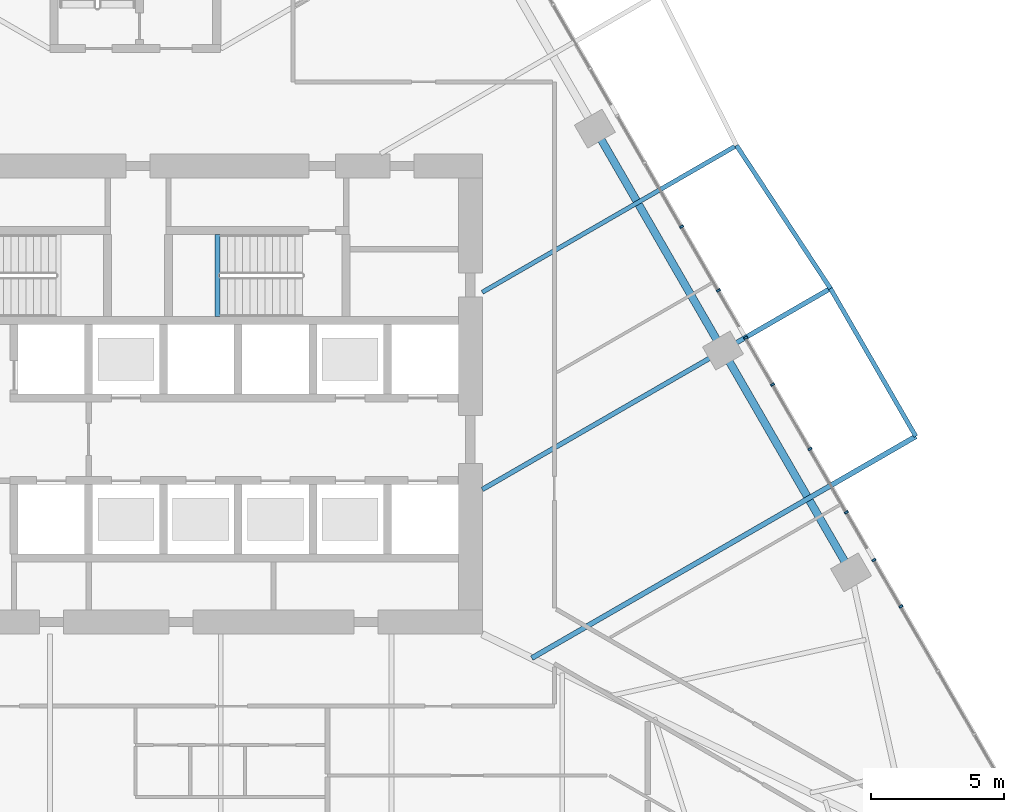
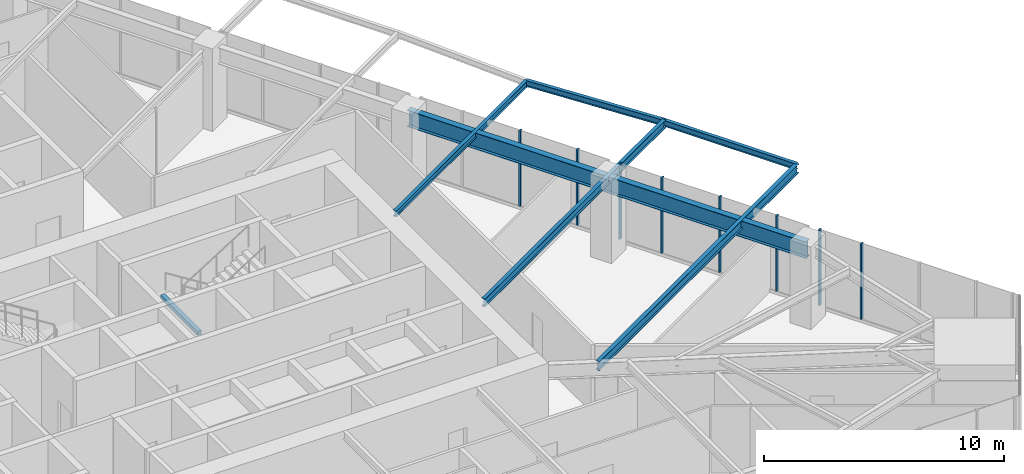
# One storey, part 7 of 29: 8 members, 7 beams, 1 element without a shape of its own.
"""IFC4 building model written with IfcOpenShell, lengths in metres."""

from ifc_helpers import new_model, si_unit, direction, frame, origin, origin_2d, place, context, subcontext, project, spatial, rectangle, i_section, extrude, material, layer, layer_set, material_profile, profile_set, type_object, element, aggregate, save


model = new_model("IFC4")

# Units and contexts
model_context = context("Model", 3, precision=1e-05, world=origin(), true_north=direction((0.0, 1.0)))
body_context = subcontext(model_context, "Body", "Model", "MODEL_VIEW")
ifc_project = project(units=[si_unit("LENGTHUNIT", "METRE"), si_unit("AREAUNIT", "SQUARE_METRE"), si_unit("VOLUMEUNIT", "CUBIC_METRE"), si_unit("PLANEANGLEUNIT", "RADIAN"), si_unit("MASSUNIT", "GRAM", prefix="KILO")], contexts=[model_context])

# Site, building, storey
site_placement = place(None, origin())
site = spatial("IfcSite", under=ifc_project, at=site_placement, CompositionType="ELEMENT")
building_placement = place(site_placement, origin())
building = spatial("IfcBuilding", under=site, at=building_placement, Name="Firuza Gate Tower and Library", CompositionType="ELEMENT")
storey_placement = place(building_placement, frame((0.0, 0.0, 44.199951171875)))
storey = spatial("IfcBuildingStorey", under=building, at=storey_placement, Name="L09", CompositionType="ELEMENT", Elevation=44.199951171875)

# Curtain wall, members
ifc_material_1 = material(Name="Aluminium 6063-T6", Category="aluminium")
ifc_layer = layer(ifc_material_1, 0.14990234375)
ifc_layer_set = layer_set([ifc_layer], Name="Unitised curtain wall, offices")
curtain_wall_type = type_object("IfcCurtainWallType", Name="Unitised curtain wall, offices", PredefinedType="NOTDEFINED", material=ifc_layer_set)
curtain_wall_placement = place(storey_placement, origin())
curtain_wall = element("IfcCurtainWall", 1, at=curtain_wall_placement, inside=storey, type_object=curtain_wall_type, Name="CW1 L09 E face", PredefinedType="NOTDEFINED")
ifc_material_2 = material(Name="Aluminium 6063-T6", Category="aluminium")
ifc_material_profile_1 = material_profile(ifc_material_2, rectangle(XDim=0.14990234375, YDim=0.080078125, at=origin_2d()))
ifc_profile_set_1 = profile_set([ifc_material_profile_1], Name="Aluminium 6063-T6")
member_type = type_object("IfcMemberType", Name="Curtain wall mullion 80x150", PredefinedType="MULLION", material=ifc_profile_set_1)
member_1_placement = place(storey_placement, frame((102.679443359375, 68.777099609375, 0.150146484375), z_axis=(0.0, 0.0, 1.0), x_axis=(-0.866025403784, -0.5, 0.0)))
member_1 = element("IfcMember", 2, at=member_1_placement, type_object=member_type, Name="Mullion", PredefinedType="MULLION", context=body_context, shape_type="SweptSolid", body=[
    extrude(rectangle(XDim=0.14990234375, YDim=0.080078125, at=origin_2d()), origin(), (0.0, 0.0, 1.0), 3.849853515625),
])
member_2_placement = place(storey_placement, frame((100.27587890625, 72.940185546875, 0.150146484375), z_axis=(0.0, 0.0, 1.0), x_axis=(-0.866025403784, -0.5, 0.0)))
member_2 = element("IfcMember", 3, at=member_2_placement, type_object=member_type, Name="Mullion", PredefinedType="MULLION", context=body_context, shape_type="SweptSolid", body=[
    extrude(rectangle(XDim=0.14990234375, YDim=0.080078125, at=origin_2d()), origin(), (0.0, 0.0, 1.0), 3.849853515625),
])
member_3_placement = place(storey_placement, frame((97.8720703125, 77.103515625, 0.150146484375), z_axis=(0.0, 0.0, 1.0), x_axis=(-0.866025403784, -0.5, 0.0)))
member_3 = element("IfcMember", 4, at=member_3_placement, type_object=member_type, Name="Mullion", PredefinedType="MULLION", context=body_context, shape_type="SweptSolid", body=[
    extrude(rectangle(XDim=0.14990234375, YDim=0.080078125, at=origin_2d()), origin(), (0.0, 0.0, 1.0), 3.849853515625),
])
member_4_placement = place(storey_placement, frame((95.468505859375, 81.2666015625, 0.150146484375), z_axis=(0.0, 0.0, 1.0), x_axis=(-0.866025403784, -0.5, 0.0)))
member_4 = element("IfcMember", 5, at=member_4_placement, type_object=member_type, Name="Mullion", PredefinedType="MULLION", context=body_context, shape_type="SweptSolid", body=[
    extrude(rectangle(XDim=0.14990234375, YDim=0.080078125, at=origin_2d()), origin(), (0.0, 0.0, 1.0), 3.849853515625),
])
member_5_placement = place(storey_placement, frame((103.683837890625, 67.03759765625, 0.150146484375), z_axis=(0.0, 0.0, 1.0), x_axis=(-0.866025403784, -0.5, 0.0)))
member_5 = element("IfcMember", 6, at=member_5_placement, type_object=member_type, Name="Mullion", PredefinedType="MULLION", context=body_context, shape_type="SweptSolid", body=[
    extrude(rectangle(XDim=0.14990234375, YDim=0.080078125, at=origin_2d()), origin(), (0.0, 0.0, 1.0), 3.849853515625),
])
member_6_placement = place(storey_placement, frame((101.646240234375, 70.566650390625, 0.150146484375), z_axis=(0.0, 0.0, 1.0), x_axis=(-0.866025403784, -0.5, 0.0)))
member_6 = element("IfcMember", 7, at=member_6_placement, type_object=member_type, Name="Mullion", PredefinedType="MULLION", context=body_context, shape_type="SweptSolid", body=[
    extrude(rectangle(XDim=0.14990234375, YDim=0.080078125, at=origin_2d()), origin(), (0.0, 0.0, 1.0), 3.849853515625),
])
member_7_placement = place(storey_placement, frame((98.8837890625, 75.351318359375, 0.150146484375), z_axis=(0.0, 0.0, 1.0), x_axis=(-0.866025403784, -0.5, 0.0)))
member_7 = element("IfcMember", 8, at=member_7_placement, type_object=member_type, Name="Mullion", PredefinedType="MULLION", context=body_context, shape_type="SweptSolid", body=[
    extrude(rectangle(XDim=0.14990234375, YDim=0.080078125, at=origin_2d()), origin(), (0.0, 0.0, 1.0), 3.849853515625),
])
member_8_placement = place(storey_placement, frame((96.84619140625, 78.880615234375, 0.150146484375), z_axis=(0.0, 0.0, 1.0), x_axis=(-0.866025403784, -0.5, 0.0)))
member_8 = element("IfcMember", 9, at=member_8_placement, type_object=member_type, Name="Mullion", PredefinedType="MULLION", context=body_context, shape_type="SweptSolid", body=[
    extrude(rectangle(XDim=0.14990234375, YDim=0.080078125, at=origin_2d()), origin(), (0.0, 0.0, 1.0), 3.849853515625),
])
aggregate(curtain_wall, [member_1, member_2, member_3, member_4, member_5, member_6, member_7, member_8])

# Beams
ifc_material_3 = material(Name="Concrete C35/45", Category="concrete")
ifc_material_profile_2 = material_profile(ifc_material_3, rectangle(XDim=0.199951171875, YDim=0.199951171875, at=origin_2d()))
ifc_profile_set_2 = profile_set([ifc_material_profile_2], Name="Concrete C35/45")
beam_type_1 = type_object("IfcBeamType", Name="Stair landing bearer 200x200", PredefinedType="BEAM", material=ifc_profile_set_2)
beam_1_placement = place(storey_placement, frame((78.080078125, 80.97998046875, 1.800048828125), z_axis=(0.0, -1.0, 0.0), x_axis=(1.0, 0.0, 0.0)))
element("IfcBeam", 10, at=beam_1_placement, inside=storey, type_object=beam_type_1, Name="Landing bearer L09 stair 2", PredefinedType="BEAM", context=body_context, shape_type="SweptSolid", body=[
    extrude(rectangle(XDim=0.199951171875, YDim=0.199951171875, at=origin_2d()), origin(), (0.0, 0.0, 1.0), 3.080078125),
])
ifc_material_4 = material(Name="Steel S355", Category="steel")
ifc_material_profile_3 = material_profile(ifc_material_4, i_section(OverallWidth=0.1650390625, OverallDepth=0.31005859375, WebThickness=0.005859375, FlangeThickness=0.009765625, at=origin_2d()))
ifc_profile_set_3 = profile_set([ifc_material_profile_3], Name="Steel S355")
beam_type_2 = type_object("IfcBeamType", Name="W310x39 Floor beam", PredefinedType="JOIST", material=ifc_profile_set_3)
beam_2_placement = place(storey_placement, frame((97.52783203125, 84.311279296875, 3.844970703125), z_axis=(-0.866031857202, -0.499988822186, 0.0), x_axis=(0.499988822186, -0.866031857202, 0.0)))
element("IfcBeam", 11, at=beam_2_placement, inside=storey, type_object=beam_type_2, Name="Floor beam L09 s52", PredefinedType="JOIST", context=body_context, shape_type="SweptSolid", body=[
    extrude(i_section(OverallWidth=0.1650390625, OverallDepth=0.31005859375, WebThickness=0.005859375, FlangeThickness=0.009765625, at=origin_2d()), origin(), (0.0, 0.0, 1.0), 11.001708984375),
])
beam_3_placement = place(storey_placement, frame((104.24755859375, 73.410888671875, 3.844970703125), z_axis=(-0.499999833739, 0.866025499775, 0.0), x_axis=(-0.866025499775, -0.499999833739, 0.0)))
element("IfcBeam", 12, at=beam_3_placement, inside=storey, type_object=beam_type_2, Name="Tray edge beam L09 s50-s51", PredefinedType="JOIST", context=body_context, shape_type="SweptSolid", body=[
    extrude(i_section(OverallWidth=0.1650390625, OverallDepth=0.31005859375, WebThickness=0.005859375, FlangeThickness=0.009765625, at=origin_2d()), origin(), (0.0, 0.0, 1.0), 6.39990234375),
])
beam_4_placement = place(storey_placement, frame((101.047607421875, 78.953369140625, 3.844970703125), z_axis=(-0.549054010602, 0.835786870824, 0.0), x_axis=(-0.835786870824, -0.549054010602, 0.0)))
element("IfcBeam", 13, at=beam_4_placement, inside=storey, type_object=beam_type_2, Name="Tray edge beam L09 s51-s52", PredefinedType="JOIST", context=body_context, shape_type="SweptSolid", body=[
    extrude(i_section(OverallWidth=0.1650390625, OverallDepth=0.31005859375, WebThickness=0.005859375, FlangeThickness=0.009765625, at=origin_2d()), origin(), (0.0, 0.0, 1.0), 6.41064453125),
])
ifc_material_5 = material(Name="Steel S355", Category="steel")
ifc_material_profile_4 = material_profile(ifc_material_5, i_section(OverallWidth=0.177978515625, OverallDepth=0.406982421875, WebThickness=0.0078125, FlangeThickness=0.0126953125, at=origin_2d()))
ifc_profile_set_4 = profile_set([ifc_material_profile_4], Name="Steel S355")
beam_type_3 = type_object("IfcBeamType", Name="W410x60 Floor beam", PredefinedType="JOIST", material=ifc_profile_set_4)
beam_5_placement = place(storey_placement, frame((101.047607421875, 78.953369140625, 3.796630859375), z_axis=(-0.866027722394, -0.499995984029, 0.0), x_axis=(0.499995984029, -0.866027722394, 0.0)))
element("IfcBeam", 14, at=beam_5_placement, inside=storey, type_object=beam_type_3, Name="Floor beam L09 s51", PredefinedType="JOIST", context=body_context, shape_type="SweptSolid", body=[
    extrude(i_section(OverallWidth=0.177978515625, OverallDepth=0.406982421875, WebThickness=0.0078125, FlangeThickness=0.0126953125, at=origin_2d()), origin(), (0.0, 0.0, 1.0), 15.06591796875),
])
ifc_material_6 = material(Name="Steel S355", Category="steel")
ifc_material_profile_5 = material_profile(ifc_material_6, i_section(OverallWidth=0.18994140625, OverallDepth=0.45703125, WebThickness=0.009033203125, FlangeThickness=0.014404296875, at=origin_2d()))
ifc_profile_set_5 = profile_set([ifc_material_profile_5], Name="Steel S355")
beam_type_4 = type_object("IfcBeamType", Name="W460x74 Floor beam", PredefinedType="JOIST", material=ifc_profile_set_5)
beam_6_placement = place(storey_placement, frame((104.24755859375, 73.410888671875, 3.771484375), z_axis=(-0.866024121142, -0.500002221596, 0.0), x_axis=(0.500002221596, -0.866024121142, 0.0)))
element("IfcBeam", 15, at=beam_6_placement, inside=storey, type_object=beam_type_4, Name="Floor beam L09 s50", PredefinedType="JOIST", context=body_context, shape_type="SweptSolid", body=[
    extrude(i_section(OverallWidth=0.18994140625, OverallDepth=0.45703125, WebThickness=0.009033203125, FlangeThickness=0.014404296875, at=origin_2d()), origin(), (0.0, 0.0, 1.0), 16.61865234375),
])
ifc_material_7 = material(Name="Steel S355", Category="steel")
ifc_material_profile_6 = material_profile(ifc_material_7, i_section(OverallWidth=0.2919921875, OverallDepth=0.8349609375, WebThickness=0.013916015625, FlangeThickness=0.018798828125, at=origin_2d()))
ifc_profile_set_6 = profile_set([ifc_material_profile_6], Name="Steel S355")
beam_type_5 = type_object("IfcBeamType", Name="W840x176 Edge beam", PredefinedType="SPANDREL", material=ifc_profile_set_6)
beam_7_placement = place(storey_placement, frame((101.820556640625, 68.314697265625, 3.58251953125), z_axis=(-0.500003864429, 0.866023172644, 0.0), x_axis=(-0.866023172644, -0.500003864429, 0.0)))
element("IfcBeam", 16, at=beam_7_placement, inside=storey, type_object=beam_type_5, Name="Edge beam L09 e50", PredefinedType="SPANDREL", context=body_context, shape_type="SweptSolid", body=[
    extrude(i_section(OverallWidth=0.2919921875, OverallDepth=0.8349609375, WebThickness=0.013916015625, FlangeThickness=0.018798828125, at=origin_2d()), origin(), (0.0, 0.0, 1.0), 19.199951171875),
])

save(model, "model.ifc")
